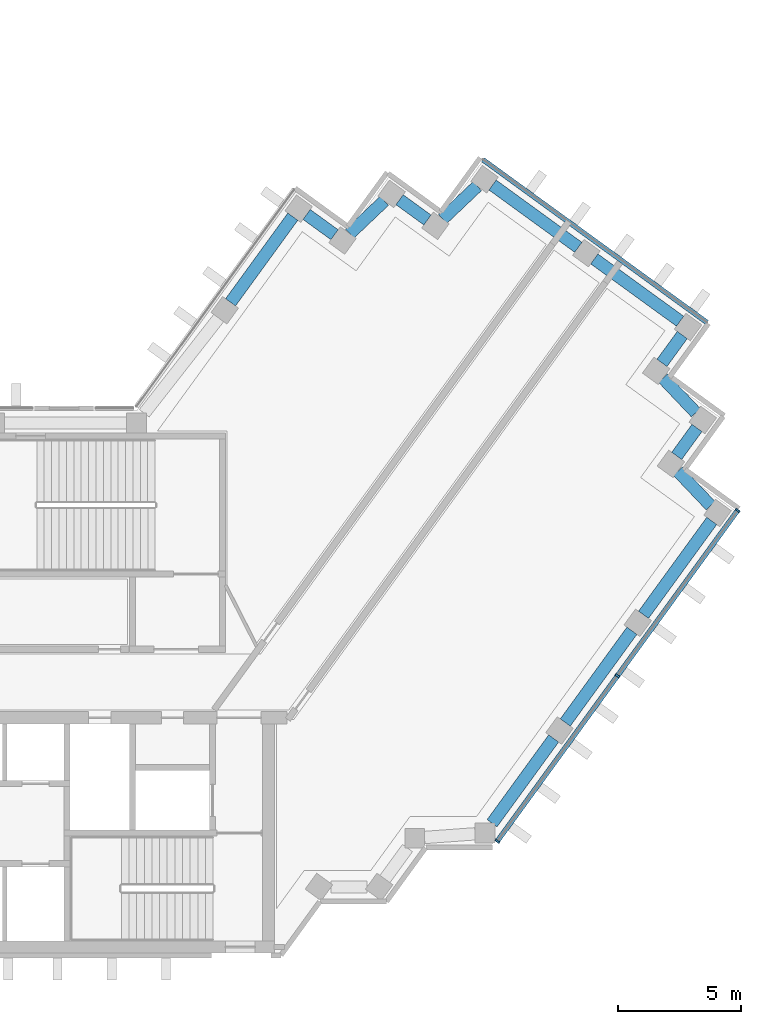
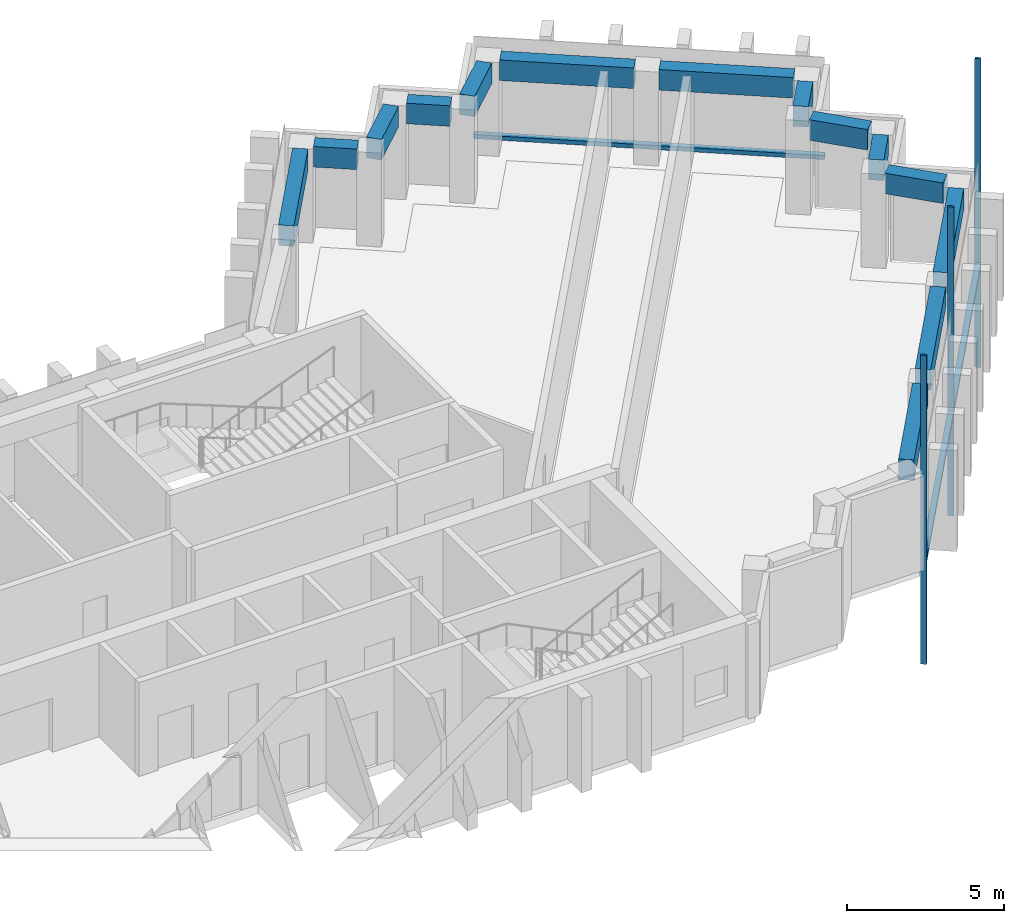
"""IFC4 building model written with IfcOpenShell, lengths in metres."""

import ifcopenshell
import ifcopenshell.guid

model = None  # the IFC model being written
_history = None  # IfcOwnerHistory: only IFC2X3 demands one
_inside = {}  # id of a spatial element -> (the spatial element, [elements in it])
_under = {}  # id of a project, library or spatial element -> (it, [spatial elements below it])
_declared = {}  # id of a project -> (the project, [libraries it declares])
_typed = {}  # id of a type object -> (the type object, [elements of that type])
_made_of = {}  # id of a material, layer set ... -> (it, [elements and type objects made of it])


def new_model(schema):
    """Start an empty IFC model of exactly this schema.

    Asked for "IFC4X3", IfcOpenShell would pick the latest addendum, in which some entities
    have other attributes; the version numbers below select the first issue.
    IFC2X3 requires an IfcOwnerHistory on every rooted entity: one is made here for all.
    """
    global model, _history
    if schema == "IFC4X3":
        model = ifcopenshell.file(schema_version=(4, 3, 0, 0))
    else:
        model = ifcopenshell.file(schema=schema)
    _inside.clear()
    _under.clear()
    _declared.clear()
    _typed.clear()
    _made_of.clear()
    _history = None
    if model.schema == "IFC2X3":
        org = make("IfcOrganization", Name="unknown")
        user = make(
            "IfcPersonAndOrganization",
            ThePerson=make("IfcPerson", FamilyName="unknown"),
            TheOrganization=org,
        )
        app = make(
            "IfcApplication",
            ApplicationDeveloper=org,
            Version="unknown",
            ApplicationFullName="unknown",
            ApplicationIdentifier="unknown",
        )
        _history = make(
            "IfcOwnerHistory",
            OwningUser=user,
            OwningApplication=app,
            ChangeAction="ADDED",
            CreationDate=0,
        )
    return model


def make(cls, **values):
    """One entity of the class cls with the attributes given. An attribute that is None is left unset."""
    return model.create_entity(
        cls, **{name: value for name, value in values.items() if value is not None}
    )


def rooted(cls, **values):
    """An entity with a GlobalId (a new one), such as an element, a storey or a relation."""
    return make(cls, GlobalId=ifcopenshell.guid.new(), OwnerHistory=_history, **values)


def si_unit(unit_type, name, prefix=None):
    """IfcSIUnit, for example si_unit("LENGTHUNIT", "METRE", prefix="MILLI")."""
    return make("IfcSIUnit", UnitType=unit_type, Prefix=prefix, Name=name)


def assignment(units):
    """IfcUnitAssignment: the units of a project."""
    return None if units is None else make("IfcUnitAssignment", Units=units)


def point(xyz):
    """IfcCartesianPoint."""
    return None if xyz is None else make("IfcCartesianPoint", Coordinates=xyz)


def direction(xyz):
    """IfcDirection."""
    return None if xyz is None else make("IfcDirection", DirectionRatios=xyz)


def frame(location, z_axis=None, x_axis=None):
    """IfcAxis2Placement3D, a coordinate frame: its origin and axes. An axis left out is left unset."""
    return make(
        "IfcAxis2Placement3D",
        Location=point(location),
        Axis=direction(z_axis),
        RefDirection=direction(x_axis),
    )


def frame_2d(location, x_axis=None):
    """IfcAxis2Placement2D, a coordinate frame in the plane: its origin and x axis."""
    return make(
        "IfcAxis2Placement2D", Location=point(location), RefDirection=direction(x_axis)
    )


def origin():
    """The frame at (0, 0, 0) with its axes left unset."""
    return frame((0.0, 0.0, 0.0))


def origin_2d():
    """The frame at (0, 0) in the plane with its x axis left unset."""
    return frame_2d((0.0, 0.0))


def place(relative_to, where):
    """IfcLocalPlacement: puts the frame where relative to a parent placement (None: the world)."""
    return make(
        "IfcLocalPlacement", PlacementRelTo=relative_to, RelativePlacement=where
    )


def context(
    kind, dimensions, precision=None, world=None, true_north=None, identifier=None
):
    """IfcGeometricRepresentationContext, for example the 3D "Model" context."""
    return make(
        "IfcGeometricRepresentationContext",
        ContextIdentifier=identifier,
        ContextType=kind,
        CoordinateSpaceDimension=dimensions,
        Precision=precision,
        WorldCoordinateSystem=world,
        TrueNorth=true_north,
    )


def subcontext(parent, identifier, kind, view, scale=None):
    """IfcGeometricRepresentationSubContext, for example "Body" below "Model"."""
    return make(
        "IfcGeometricRepresentationSubContext",
        ContextIdentifier=identifier,
        ContextType=kind,
        ParentContext=parent,
        TargetScale=scale,
        TargetView=view,
    )


def project(units=None, contexts=None):
    """IfcProject with its units and contexts."""
    return rooted(
        "IfcProject",
        Name="project",
        RepresentationContexts=contexts,
        UnitsInContext=assignment(units),
    )


def spatial(cls, under=None, at=None, **own):
    """A site, building, storey or space (cls), placed at a placement, below another one or the project."""
    s = rooted(cls, ObjectPlacement=at, **own)
    if under is not None:
        _under.setdefault(under.id(), (under, []))[1].append(s)
    return s


def profile(cls, at=None, kind="AREA", **sizes):
    """A parametric profile (cls). Its sizes go by their IFC names, for example OverallWidth=200.0."""
    return make(cls, ProfileType=kind, Position=at, **sizes)


def rectangle(**sizes):
    """IfcRectangleProfileDef."""
    return profile("IfcRectangleProfileDef", **sizes)


def extrude(swept, where, along, depth):
    """IfcExtrudedAreaSolid: the profile swept, set in the frame where, extruded along a direction by depth."""
    return make(
        "IfcExtrudedAreaSolid",
        SweptArea=swept,
        Position=where,
        ExtrudedDirection=direction(along),
        Depth=depth,
    )


def shape(context_of_items, identifier, shape_type, items):
    """IfcShapeRepresentation: the items that make up one representation, for example the "Body"."""
    return make(
        "IfcShapeRepresentation",
        ContextOfItems=context_of_items,
        RepresentationIdentifier=identifier,
        RepresentationType=shape_type,
        Items=items,
    )


def material(Name=None, Category=None):
    """IfcMaterial."""
    return make("IfcMaterial", Name=Name, Category=Category)


def material_profile(
    of_material, cross_section, Name=None, Category=None, Priority=None
):
    """IfcMaterialProfile: a cross section and its material."""
    return make(
        "IfcMaterialProfile",
        Name=Name,
        Material=of_material,
        Profile=cross_section,
        Priority=Priority,
        Category=Category,
    )


def profile_set(profiles, Name=None, composite=None):
    """IfcMaterialProfileSet."""
    return make(
        "IfcMaterialProfileSet",
        Name=Name,
        MaterialProfiles=profiles,
        CompositeProfile=composite,
    )


def made_of(thing, what):
    """Note that an element or type object is made of a material, layer set ...; save() writes the relation."""
    if what is not None:
        _made_of.setdefault(what.id(), (what, []))[1].append(thing)
    return thing


def type_object(cls, material=None, **own):
    """A type object (cls), such as IfcWallType, which elements share."""
    return made_of(rooted(cls, **own), material)


def element(
    cls,
    number,
    at=None,
    inside=None,
    cuts=None,
    type_object=None,
    material=None,
    context=None,
    identifier="Body",
    shape_type=None,
    held_by="IfcProductDefinitionShape",
    body=None,
    shapes=None,
    **own,
):
    """One element of the class cls, such as IfcWall. Its Tag is "e" and its number.

    at: its placement. inside: the storey or other place that contains it. cuts: it is an
    opening in that element (IfcRelVoidsElement). A single representation is given by context,
    identifier, shape_type and body (its items); several are given by shapes. held_by: the class
    of the entity that holds the representations. save() writes the other relations.
    """
    e = rooted(cls, Tag="e%d" % number, ObjectPlacement=at, **own)
    if body is not None:
        shapes = [shape(context, identifier, shape_type, body)]
    if shapes is not None:
        e.Representation = make(held_by, Representations=shapes)
    if inside is not None:
        _inside.setdefault(inside.id(), (inside, []))[1].append(e)
    if cuts is not None:
        rooted(
            "IfcRelVoidsElement", RelatingBuildingElement=cuts, RelatedOpeningElement=e
        )
    if type_object is not None:
        _typed.setdefault(type_object.id(), (type_object, []))[1].append(e)
    return made_of(e, material)


def aggregate(whole, parts):
    """IfcRelAggregates: a whole, such as a stair, and the parts it consists of."""
    return rooted("IfcRelAggregates", RelatingObject=whole, RelatedObjects=parts)


def save(model, path):
    """Write the relations noted so far, then the file.

    IfcRelAggregates (storeys below a building ...), IfcRelContainedInSpatialStructure (elements
    in a storey), IfcRelDefinesByType, IfcRelAssociatesMaterial and IfcRelDeclares: one each for
    every whole, place, type object, material and project.
    """
    for whole, parts in _under.values():
        aggregate(whole, parts)
    for where, things in _inside.values():
        rooted(
            "IfcRelContainedInSpatialStructure",
            RelatedElements=things,
            RelatingStructure=where,
        )
    for kind, things in _typed.values():
        rooted("IfcRelDefinesByType", RelatedObjects=things, RelatingType=kind)
    for what, things in _made_of.values():
        rooted("IfcRelAssociatesMaterial", RelatedObjects=things, RelatingMaterial=what)
    for by, libraries in _declared.values():
        rooted("IfcRelDeclares", RelatingContext=by, RelatedDefinitions=libraries)
    model.write(path)


model = new_model("IFC4")

# Units and contexts
model_context = context("Model", 3, precision=1e-05, world=origin(), true_north=direction((0.0, 1.0)))
body_context = subcontext(model_context, "Body", "Model", "MODEL_VIEW")
ifc_project = project(units=[si_unit("LENGTHUNIT", "METRE"), si_unit("AREAUNIT", "SQUARE_METRE"), si_unit("VOLUMEUNIT", "CUBIC_METRE"), si_unit("PLANEANGLEUNIT", "RADIAN"), si_unit("MASSUNIT", "GRAM", prefix="KILO")], contexts=[model_context])

# Site, building, storey
site_placement = place(None, origin())
site = spatial("IfcSite", under=ifc_project, at=site_placement, CompositionType="ELEMENT")
building_placement = place(site_placement, origin())
building = spatial("IfcBuilding", under=site, at=building_placement, Name="Quipu Civic Tower", CompositionType="ELEMENT")
storey_1_placement = place(building_placement, frame((0.0, 0.0, 226.0)))
storey_1 = spatial("IfcBuildingStorey", under=building, at=storey_1_placement, Name="L53", CompositionType="ELEMENT", Elevation=226.0)

# Curtain wall, members
ifc_material_1 = material(Name="Insulated glass unit", Category="glass")
curtain_wall_type = type_object("IfcCurtainWallType", Name="Office curtain wall CW1", PredefinedType="NOTDEFINED", material=ifc_material_1)
curtain_wall_1_placement = place(storey_1_placement, origin())
curtain_wall_1 = element("IfcCurtainWall", 1, at=curtain_wall_1_placement, inside=storey_1, type_object=curtain_wall_type, Name="Office curtain wall CW1 L52 run 4", PredefinedType="NOTDEFINED")
ifc_material_2 = material(Name="Anodised aluminium", Category="aluminium")
ifc_material_profile_1 = material_profile(ifc_material_2, rectangle(XDim=0.199951171875, YDim=0.080078125, at=origin_2d()), Name="RECT 200x80")
ifc_profile_set_1 = profile_set([ifc_material_profile_1], Name="Anodised aluminium")
member_type_1 = type_object("IfcMemberType", Name="Mullion CW1", PredefinedType="MULLION", material=ifc_profile_set_1)
member_1_placement = place(storey_1_placement, frame((29.029296875, -6.45654296875, -3.919921875), z_axis=(0.0, 0.0, 1.0), x_axis=(-0.809015868502, 0.58778680192, 0.0)))
member_1 = element("IfcMember", 2, at=member_1_placement, type_object=member_type_1, Name="CW1 mullion 1", PredefinedType="MULLION", context=body_context, shape_type="SweptSolid", body=[
    extrude(rectangle(XDim=0.199951171875, YDim=0.080078125, at=origin_2d()), origin(), (0.0, 0.0, 1.0), 12.0),
])
member_2_placement = place(storey_1_placement, frame((33.90087890625, 0.24853515625, -3.919921875), z_axis=(0.0, 0.0, 1.0), x_axis=(-0.809015868502, 0.58778680192, 0.0)))
member_2 = element("IfcMember", 3, at=member_2_placement, type_object=member_type_1, Name="CW1 mullion 2", PredefinedType="MULLION", context=body_context, shape_type="SweptSolid", body=[
    extrude(rectangle(XDim=0.199951171875, YDim=0.080078125, at=origin_2d()), origin(), (0.0, 0.0, 1.0), 12.0),
])
member_3_placement = place(storey_1_placement, frame((38.772705078125, 6.953857421875, -3.919921875), z_axis=(0.0, 0.0, 1.0), x_axis=(-0.809015868502, 0.58778680192, 0.0)))
member_3 = element("IfcMember", 4, at=member_3_placement, type_object=member_type_1, Name="CW1 mullion 3", PredefinedType="MULLION", context=body_context, shape_type="SweptSolid", body=[
    extrude(rectangle(XDim=0.199951171875, YDim=0.080078125, at=origin_2d()), origin(), (0.0, 0.0, 1.0), 12.0),
])

# Beams
ifc_material_3 = material(Name="Concrete C50/60", Category="concrete")
ifc_material_profile_2 = material_profile(ifc_material_3, rectangle(XDim=0.5, YDim=0.800048828125, at=origin_2d()), Name="RC500x800")
ifc_profile_set_2 = profile_set([ifc_material_profile_2], Name="Concrete C50/60")
beam_type = type_object("IfcBeamType", Name="Spandrel beam RC 500x800 C50/60", PredefinedType="SPANDREL", material=ifc_profile_set_2)
beam_1_placement = place(storey_1_placement, frame((28.815673828125, -5.72998046875, 3.25), z_axis=(0.58776850526, 0.809029161541, 0.0), x_axis=(-0.809029161541, 0.58776850526, 0.0)))
element("IfcBeam", 5, at=beam_1_placement, inside=storey_1, type_object=beam_type, Name="Spandrel beam L53 J-Eo.4 to E-OUT-01", PredefinedType="SPANDREL", context=body_context, shape_type="SweptSolid", body=[
    extrude(rectangle(XDim=0.5, YDim=0.800048828125, at=origin_2d()), origin(), (0.0, 0.0, 1.0), 4.249267578125),
])
beam_2_placement = place(storey_1_placement, frame((31.783447265625, -1.64501953125, 3.25), z_axis=(0.587796098864, 0.809009113768, 0.0), x_axis=(-0.809009113768, 0.587796098864, 0.0)))
element("IfcBeam", 6, at=beam_2_placement, inside=storey_1, type_object=beam_type, Name="Spandrel beam L53 E-OUT-01 to E-OUT-02", PredefinedType="SPANDREL", context=body_context, shape_type="SweptSolid", body=[
    extrude(rectangle(XDim=0.5, YDim=0.800048828125, at=origin_2d()), origin(), (0.0, 0.0, 1.0), 4.60009765625),
])
beam_3_placement = place(storey_1_placement, frame((34.95751953125, 2.7236328125, 3.25), z_axis=(0.587891029962, 0.808940131833, 0.0), x_axis=(-0.808940131833, 0.587891029962, 0.0)))
element("IfcBeam", 7, at=beam_3_placement, inside=storey_1, type_object=beam_type, Name="Spandrel beam L53 E-OUT-02 to T-Eo.0-E22", PredefinedType="SPANDREL", context=body_context, shape_type="SweptSolid", body=[
    extrude(rectangle(XDim=0.5, YDim=0.800048828125, at=origin_2d()), origin(), (0.0, 0.0, 1.0), 4.707275390625),
])
beam_4_placement = place(storey_1_placement, frame((37.6796875, 7.149658203125, 3.25), z_axis=(-0.689191109061, 0.724579612735, 0.0), x_axis=(-0.724579612735, -0.689191109061, 0.0)))
element("IfcBeam", 8, at=beam_4_placement, inside=storey_1, type_object=beam_type, Name="Spandrel beam L53 T-Eo.0-E22 to T-Eo.1-E22", PredefinedType="SPANDREL", context=body_context, shape_type="SweptSolid", body=[
    extrude(rectangle(XDim=0.5, YDim=0.800048828125, at=origin_2d()), origin(), (0.0, 0.0, 1.0), 1.931640625),
])
beam_5_placement = place(storey_1_placement, frame((36.302978515625, 9.16796875, 3.25), z_axis=(0.58725897397, 0.809399096547, 0.0), x_axis=(-0.809399096547, 0.58725897397, 0.0)))
element("IfcBeam", 9, at=beam_5_placement, inside=storey_1, type_object=beam_type, Name="Spandrel beam L53 T-Eo.1-E22 to T-Eo.2-E22", PredefinedType="SPANDREL", context=body_context, shape_type="SweptSolid", body=[
    extrude(rectangle(XDim=0.5, YDim=0.800048828125, at=origin_2d()), origin(), (0.0, 0.0, 1.0), 1.400146484375),
])
beam_6_placement = place(storey_1_placement, frame((37.080078125, 10.920166015625, 3.25), z_axis=(-0.688280901551, 0.725444278053, 0.0), x_axis=(-0.725444278053, -0.688280901551, 0.0)))
element("IfcBeam", 10, at=beam_6_placement, inside=storey_1, type_object=beam_type, Name="Spandrel beam L53 T-Eo.2-E22 to T-Eo.3-E22", PredefinedType="SPANDREL", context=body_context, shape_type="SweptSolid", body=[
    extrude(rectangle(XDim=0.5, YDim=0.800048828125, at=origin_2d()), origin(), (0.0, 0.0, 1.0), 1.931396484375),
])
beam_7_placement = place(storey_1_placement, frame((35.7060546875, 12.93994140625, 3.25), z_axis=(0.58841024035, 0.808562544922, 0.0), x_axis=(-0.808562544922, 0.58841024035, 0.0)))
element("IfcBeam", 11, at=beam_7_placement, inside=storey_1, type_object=beam_type, Name="Spandrel beam L53 T-Eo.3-E22 to T-Eo.4-E22", PredefinedType="SPANDREL", context=body_context, shape_type="SweptSolid", body=[
    extrude(rectangle(XDim=0.5, YDim=0.800048828125, at=origin_2d()), origin(), (0.0, 0.0, 1.0), 1.3994140625),
])
beam_8_placement = place(storey_1_placement, frame((36.44140625, 14.630126953125, 3.25), z_axis=(-0.809153076016, 0.587597906373, 0.0), x_axis=(-0.587597906373, -0.809153076016, 0.0)))
element("IfcBeam", 12, at=beam_8_placement, inside=storey_1, type_object=beam_type, Name="Spandrel beam L53 T-Eo.4-E22 to TIP-E-01-E22", PredefinedType="SPANDREL", context=body_context, shape_type="SweptSolid", body=[
    extrude(rectangle(XDim=0.5, YDim=0.800048828125, at=origin_2d()), origin(), (0.0, 0.0, 1.0), 4.302001953125),
])
beam_9_placement = place(storey_1_placement, frame((32.313232421875, 17.6279296875, 3.25), z_axis=(-0.80911644178, 0.587648350327, 0.0), x_axis=(-0.587648350327, -0.80911644178, 0.0)))
element("IfcBeam", 13, at=beam_9_placement, inside=storey_1, type_object=beam_type, Name="Spandrel beam L53 TIP-E-01-E22 to T-Ei.0-E22", PredefinedType="SPANDREL", context=body_context, shape_type="SweptSolid", body=[
    extrude(rectangle(XDim=0.5, YDim=0.800048828125, at=origin_2d()), origin(), (0.0, 0.0, 1.0), 4.30029296875),
])
beam_10_placement = place(storey_1_placement, frame((28.21484375, 20.10986328125, 3.25), z_axis=(-0.725384387405, -0.688344020464, 0.0), x_axis=(0.688344020464, -0.725384387405, 0.0)))
element("IfcBeam", 14, at=beam_10_placement, inside=storey_1, type_object=beam_type, Name="Spandrel beam L53 T-Ei.0-E22 to T-Ei.1-E22", PredefinedType="SPANDREL", context=body_context, shape_type="SweptSolid", body=[
    extrude(rectangle(XDim=0.5, YDim=0.800048828125, at=origin_2d()), origin(), (0.0, 0.0, 1.0), 1.93115234375),
])
beam_11_placement = place(storey_1_placement, frame((26.195556640625, 18.73583984375, 3.25), z_axis=(-0.808600329101, 0.588358315805, 0.0), x_axis=(-0.588358315805, -0.808600329101, 0.0)))
element("IfcBeam", 15, at=beam_11_placement, inside=storey_1, type_object=beam_type, Name="Spandrel beam L53 T-Ei.1-E22 to T-Ei.2-E22", PredefinedType="SPANDREL", context=body_context, shape_type="SweptSolid", body=[
    extrude(rectangle(XDim=0.5, YDim=0.800048828125, at=origin_2d()), origin(), (0.0, 0.0, 1.0), 1.400146484375),
])
beam_12_placement = place(storey_1_placement, frame((24.445068359375, 19.514892578125, 3.25), z_axis=(-0.72506883804, -0.688676397232, 0.0), x_axis=(0.688676397232, -0.72506883804, 0.0)))
element("IfcBeam", 16, at=beam_12_placement, inside=storey_1, type_object=beam_type, Name="Spandrel beam L53 T-Ei.2-E22 to T-Ei.3-E22", PredefinedType="SPANDREL", context=body_context, shape_type="SweptSolid", body=[
    extrude(rectangle(XDim=0.5, YDim=0.800048828125, at=origin_2d()), origin(), (0.0, 0.0, 1.0), 1.93212890625),
])
beam_13_placement = place(storey_1_placement, frame((22.425537109375, 18.13916015625, 3.25), z_axis=(-0.809452764948, 0.587184997524, 0.0), x_axis=(-0.587184997524, -0.809452764948, 0.0)))
element("IfcBeam", 17, at=beam_13_placement, inside=storey_1, type_object=beam_type, Name="Spandrel beam L53 T-Ei.3-E22 to T-Ei.4-E22", PredefinedType="SPANDREL", context=body_context, shape_type="SweptSolid", body=[
    extrude(rectangle(XDim=0.5, YDim=0.800048828125, at=origin_2d()), origin(), (0.0, 0.0, 1.0), 1.398193359375),
])
beam_14_placement = place(storey_1_placement, frame((20.734619140625, 18.87158203125, 3.25), z_axis=(-0.58812775221, -0.808768042816, 0.0), x_axis=(0.808768042816, -0.58812775221, 0.0)))
element("IfcBeam", 18, at=beam_14_placement, inside=storey_1, type_object=beam_type, Name="Spandrel beam L53 T-Ei.4-E22 to E-IN-01", PredefinedType="SPANDREL", context=body_context, shape_type="SweptSolid", body=[
    extrude(rectangle(XDim=0.5, YDim=0.800048828125, at=origin_2d()), origin(), (0.0, 0.0, 1.0), 4.29443359375),
])

# Storey
storey_2_placement = place(building_placement, frame((0.0, 0.0, 222.0)))
storey_2 = spatial("IfcBuildingStorey", under=building, at=storey_2_placement, Name="L52", CompositionType="ELEMENT", Elevation=222.0)

# Curtain wall, member
curtain_wall_2_placement = place(storey_2_placement, origin())
curtain_wall_2 = element("IfcCurtainWall", 19, at=curtain_wall_2_placement, inside=storey_2, type_object=curtain_wall_type, Name="Office curtain wall CW1 L51 run 21", PredefinedType="NOTDEFINED")
ifc_material_4 = material(Name="Anodised aluminium", Category="aluminium")
ifc_material_profile_3 = material_profile(ifc_material_4, rectangle(XDim=0.199951171875, YDim=0.159912109375, at=origin_2d()), Name="RECT 200x160")
ifc_profile_set_3 = profile_set([ifc_material_profile_3], Name="Anodised aluminium")
member_type_2 = type_object("IfcMemberType", Name="Transom CW1", PredefinedType="USERDEFINED", material=ifc_profile_set_3)
member_4_placement = place(storey_1_placement, frame((37.536865234375, 14.575927734375, 0.080078125), z_axis=(-0.809022463805, 0.587777724194, 0.0), x_axis=(-0.587777724194, -0.809022463805, 0.0)))
member_4 = element("IfcMember", 20, at=member_4_placement, inside=storey_1, type_object=member_type_2, Name="CW1 transom 1.3", ObjectType="TRANSOM", PredefinedType="USERDEFINED", context=body_context, shape_type="SweptSolid", body=[
    extrude(rectangle(XDim=0.199951171875, YDim=0.159912109375, at=origin_2d()), origin(), (0.0, 0.0, 1.0), 11.240234375),
])
aggregate(curtain_wall_2, [member_4])

# Member
member_5_placement = place(storey_1_placement, frame((29.052978515625, -6.424072265625, 0.080078125), z_axis=(0.587780770372, 0.809020250662, 0.0), x_axis=(-0.809020250662, 0.587780770372, 0.0)))
member_5 = element("IfcMember", 21, at=member_5_placement, type_object=member_type_2, Name="CW1 transom 1.2", ObjectType="TRANSOM", PredefinedType="USERDEFINED", context=body_context, shape_type="SweptSolid", body=[
    extrude(rectangle(XDim=0.199951171875, YDim=0.159912109375, at=origin_2d()), origin(), (0.0, 0.0, 1.0), 8.2080078125),
])

member_6_placement = place(storey_1_placement, frame((33.924560546875, 0.281005859375, 0.080078125), z_axis=(0.587780770372, 0.809020250662, 0.0), x_axis=(-0.809020250662, 0.587780770372, 0.0)))
member_6 = element("IfcMember", 22, at=member_6_placement, type_object=member_type_2, Name="CW1 transom 2.2", ObjectType="TRANSOM", PredefinedType="USERDEFINED", context=body_context, shape_type="SweptSolid", body=[
    extrude(rectangle(XDim=0.199951171875, YDim=0.159912109375, at=origin_2d()), origin(), (0.0, 0.0, 1.0), 8.2080078125),
])

aggregate(curtain_wall_1, [member_1, member_2, member_3, member_5, member_6])

save(model, "model.ifc")
